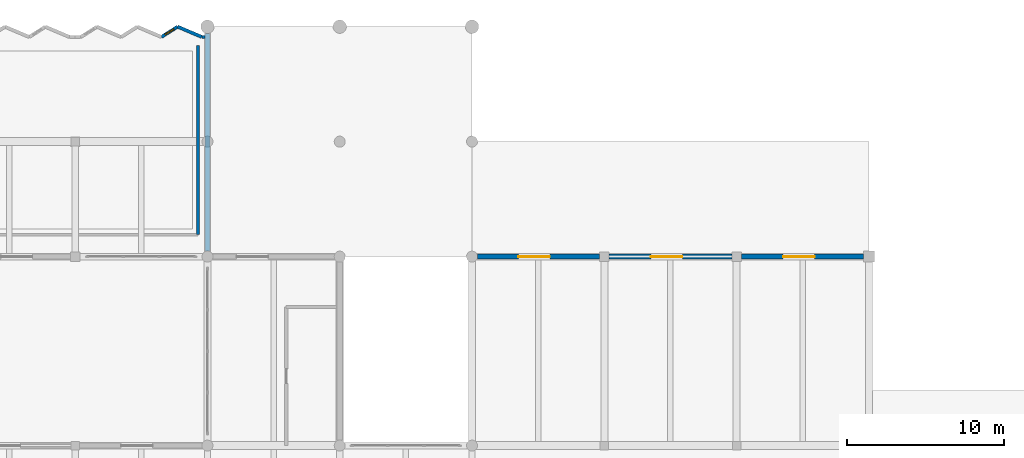
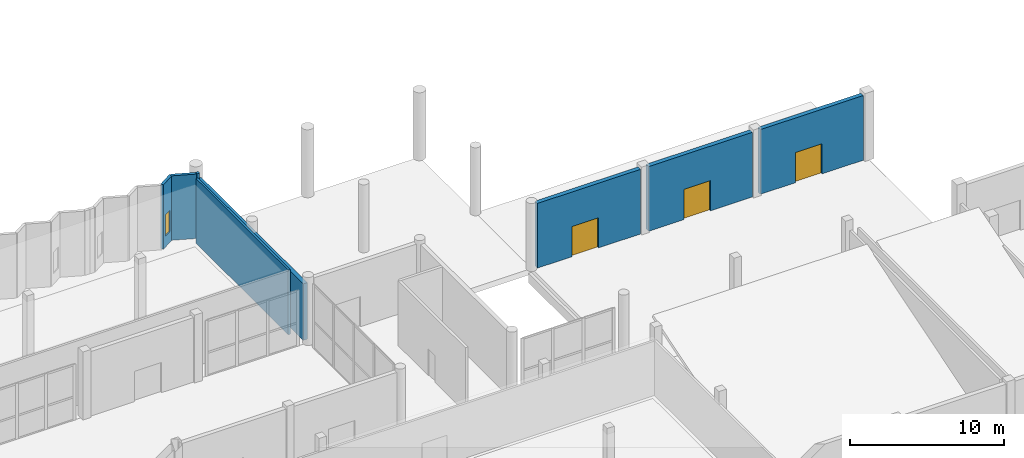
# One storey, part 31 of 41: 8 walls, 3 doors, 1 window, 4 openings.
"""IFC4 building model written with IfcOpenShell, lengths in metres."""

from ifc_helpers import new_model, si_unit, direction, frame, frame_2d, origin, place, context, subcontext, project, spatial, rectangle, extrude, material, layer, layer_set, type_object, element, fill, save


model = new_model("IFC4")

# Units and contexts
model_context = context("Model", 3, precision=1e-05, world=origin(), true_north=direction((0.0, 1.0)))
body_context = subcontext(model_context, "Body", "Model", "MODEL_VIEW")
ifc_project = project(units=[si_unit("LENGTHUNIT", "METRE"), si_unit("AREAUNIT", "SQUARE_METRE"), si_unit("VOLUMEUNIT", "CUBIC_METRE"), si_unit("PLANEANGLEUNIT", "RADIAN"), si_unit("MASSUNIT", "GRAM", prefix="KILO")], contexts=[model_context])

# Site, building, storey
site_placement = place(None, origin())
site = spatial("IfcSite", under=ifc_project, at=site_placement, CompositionType="ELEMENT")
building_placement = place(site_placement, origin())
building = spatial("IfcBuilding", under=site, at=building_placement, Name="Vharandega Faculty of Natural Sciences", CompositionType="ELEMENT")
storey_placement = place(building_placement, origin())
storey = spatial("IfcBuildingStorey", under=building, at=storey_placement, Name="L00", CompositionType="ELEMENT", Elevation=0.0)

# Wall
ifc_material_1 = material(Name="Precast concrete C40/50", Category="concrete")
ifc_layer_1 = layer(ifc_material_1, 0.2099609375, Name="Precast concrete C40/50")
ifc_layer_set_1 = layer_set([ifc_layer_1], Name="Precast concrete C40/50")
wall_type_1 = type_object("IfcWallType", Name="Commons Sawtooth Street Wall 210", PredefinedType="SOLIDWALL", material=ifc_layer_set_1)
wall_1_placement = place(storey_placement, frame((72.449951171875, 110.949951171875, 0.0), z_axis=(0.0, 0.0, 1.0), x_axis=(1.0, 0.0, 0.0)))
element("IfcWall", 1, at=wall_1_placement, inside=storey, type_object=wall_type_1, Name="Exterior Wall EW-V2SHL-L00-10R", PredefinedType="SOLIDWALL", context=body_context, shape_type="SweptSolid", body=[
    extrude(rectangle(XDim=0.205078125, YDim=0.2099609375, at=frame_2d((0.1025390625, 0.0))), origin(), (0.0, 0.0, 1.0), 5.1201171875),
])

# Wall, opening, window
wall_2_placement = place(storey_placement, frame((69.8798828125, 110.949951171875, 0.0), z_axis=(0.0, 0.0, 1.0), x_axis=(0.844257623592, 0.535937557003, 0.0)))
wall_2 = element("IfcWall", 2, at=wall_2_placement, inside=storey, type_object=wall_type_1, Name="Exterior Wall EW-V2SAW-L00-27G", PredefinedType="SOLIDWALL", context=body_context, shape_type="SweptSolid", body=[
    extrude(rectangle(XDim=1.213134765625, YDim=0.2099609375, at=frame_2d((0.6064453125, 0.0))), origin(), (0.0, 0.0, 1.0), 5.1201171875),
])
opening_1_placement = place(wall_2_placement, frame((0.280029296875, 0.0, 0.85009765625)))
opening_1 = element("IfcOpeningElement", 3, at=opening_1_placement, cuts=wall_2, Name="Opening WN-07", PredefinedType="OPENING", context=body_context, shape_type="SweptSolid", body=[
    extrude(rectangle(XDim=0.64990234375, YDim=1.699951171875, at=frame_2d((0.324951171875, 0.85009765625))), frame((0.0, 0.114990234375, 0.0), z_axis=(0.0, -1.0, 0.0), x_axis=(1.0, 0.0, 0.0)), (0.0, 0.0, 1.0), 0.22998046875),
])
ifc_material_2 = material(Name="Double-glazed solar-control glass in thermally broken aluminium frame", Category="aluminium")
window_type = type_object("IfcWindowType", Name="WIN-COM-065x170", PartitioningType="SINGLE_PANEL", PredefinedType="WINDOW", material=ifc_material_2)
window_placement = place(opening_1_placement, origin())
window = element("IfcWindow", 4, at=window_placement, inside=storey, type_object=window_type, Name="Window WIN-L00-0157", OverallHeight=1.699951171875, OverallWidth=0.64990234375, PartitioningType="SINGLE_PANEL", PredefinedType="WINDOW", context=body_context, shape_type="SweptSolid", body=[
    extrude(rectangle(XDim=0.64990234375, YDim=1.699951171875, at=frame_2d((0.324951171875, 0.85009765625))), frame((0.0, 0.030029296875, 0.0), z_axis=(0.0, -1.0, 0.0), x_axis=(1.0, 0.0, 0.0)), (0.0, 0.0, 1.0), 0.06005859375),
])
fill(opening_1, window)

# Wall
wall_3_placement = place(storey_placement, frame((70.904052734375, 111.60009765625, 0.0), z_axis=(0.0, 0.0, 1.0), x_axis=(0.920892481687, -0.389816671234, 0.0)))
element("IfcWall", 5, at=wall_3_placement, inside=storey, type_object=wall_type_1, Name="Exterior Wall EW-V2SAW-L00-27S", PredefinedType="SOLIDWALL", context=body_context, shape_type="SweptSolid", body=[
    extrude(rectangle(XDim=1.667724609375, YDim=0.2099609375, at=frame_2d((0.833984375, 0.0))), origin(), (0.0, 0.0, 1.0), 5.1201171875),
])

# Wall, opening, door
ifc_material_3 = material(Name="Granite ashlar masonry 25 MPa", Category="masonry")
ifc_layer_2 = layer(ifc_material_3, 0.320068359375, Name="Granite ashlar masonry 25 MPa")
ifc_layer_set_2 = layer_set([ifc_layer_2], Name="Granite ashlar masonry 25 MPa")
wall_type_2 = type_object("IfcWallType", Name="Harare Granite Plinth Wall 320", PredefinedType="SOLIDWALL", material=ifc_layer_set_2)
wall_4_placement = place(storey_placement, frame((89.947998046875, 97.0, 0.0), z_axis=(0.0, 0.0, 1.0), x_axis=(1.0, 0.0, 0.0)))
wall_4 = element("IfcWall", 6, at=wall_4_placement, inside=storey, type_object=wall_type_2, Name="Exterior Wall EW-L00-V1N-1", PredefinedType="SOLIDWALL", context=body_context, shape_type="SweptSolid", body=[
    extrude(rectangle(XDim=7.75390625, YDim=0.320068359375, at=frame_2d((3.876953125, 0.0))), origin(), (0.0, 0.0, 1.0), 5.139892578125),
])
opening_2_placement = place(wall_4_placement, frame((2.60205078125, 0.0, 0.0)))
opening_2 = element("IfcOpeningElement", 7, at=opening_2_placement, cuts=wall_4, Name="Opening EX-LEC1", PredefinedType="OPENING", context=body_context, shape_type="SweptSolid", body=[
    extrude(rectangle(XDim=2.0, YDim=2.39990234375, at=frame_2d((1.0, 1.199951171875))), frame((0.0, 0.169921875, 0.0), z_axis=(0.0, -1.0, 0.0), x_axis=(1.0, 0.0, 0.0)), (0.0, 0.0, 1.0), 0.340087890625),
])
ifc_material_4 = material(Name="Thermally broken glazed aluminium door", Category="aluminium")
door_type = type_object("IfcDoorType", Name="EXT-ENTRY-DBL-2000x2400", OperationType="DOUBLE_DOOR_SINGLE_SWING", PredefinedType="DOOR", material=ifc_material_4)
door_1_placement = place(opening_2_placement, origin())
door_1 = element("IfcDoor", 8, at=door_1_placement, inside=storey, type_object=door_type, Name="Lecture Pavilion Exit 1 EX-LEC1", OperationType="DOUBLE_DOOR_SINGLE_SWING", OverallHeight=2.39990234375, OverallWidth=2.0, PredefinedType="DOOR", context=body_context, shape_type="SweptSolid", body=[
    extrude(rectangle(XDim=2.0, YDim=2.39990234375, at=frame_2d((1.0, 1.199951171875))), frame((0.0, 0.02490234375, 0.0), z_axis=(0.0, -1.0, 0.0), x_axis=(1.0, 0.0, 0.0)), (0.0, 0.0, 1.0), 0.050048828125),
])
fill(opening_2, door_1)

wall_5_placement = place(storey_placement, frame((98.298095703125, 97.0, 0.0), z_axis=(0.0, 0.0, 1.0), x_axis=(1.0, 0.0, 0.0)))
wall_5 = element("IfcWall", 9, at=wall_5_placement, inside=storey, type_object=wall_type_2, Name="Exterior Wall EW-L00-V1N-2", PredefinedType="SOLIDWALL", context=body_context, shape_type="SweptSolid", body=[
    extrude(rectangle(XDim=7.803955078125, YDim=0.320068359375, at=frame_2d((3.90185546875, 0.0))), origin(), (0.0, 0.0, 1.0), 5.139892578125),
])
opening_3_placement = place(wall_5_placement, frame((2.652099609375, 0.0, 0.0)))
opening_3 = element("IfcOpeningElement", 10, at=opening_3_placement, cuts=wall_5, Name="Opening ED-LEC", PredefinedType="OPENING", context=body_context, shape_type="SweptSolid", body=[
    extrude(rectangle(XDim=2.0, YDim=2.39990234375, at=frame_2d((1.0, 1.199951171875))), frame((0.0, 0.169921875, 0.0), z_axis=(0.0, -1.0, 0.0), x_axis=(1.0, 0.0, 0.0)), (0.0, 0.0, 1.0), 0.340087890625),
])
door_2_placement = place(opening_3_placement, origin())
door_2 = element("IfcDoor", 11, at=door_2_placement, inside=storey, type_object=door_type, Name="Lecture Pavilion Exit 2 ED-LEC", OperationType="DOUBLE_DOOR_SINGLE_SWING", OverallHeight=2.39990234375, OverallWidth=2.0, PredefinedType="DOOR", context=body_context, shape_type="SweptSolid", body=[
    extrude(rectangle(XDim=2.0, YDim=2.39990234375, at=frame_2d((1.0, 1.199951171875))), frame((0.0, 0.02490234375, 0.0), z_axis=(0.0, -1.0, 0.0), x_axis=(1.0, 0.0, 0.0)), (0.0, 0.0, 1.0), 0.050048828125),
])
fill(opening_3, door_2)

wall_6_placement = place(storey_placement, frame((106.697998046875, 97.0, 0.0), z_axis=(0.0, 0.0, 1.0), x_axis=(1.0, 0.0, 0.0)))
wall_6 = element("IfcWall", 12, at=wall_6_placement, inside=storey, type_object=wall_type_2, Name="Exterior Wall EW-L00-V1N-3", PredefinedType="SOLIDWALL", context=body_context, shape_type="SweptSolid", body=[
    extrude(rectangle(XDim=7.75390625, YDim=0.320068359375, at=frame_2d((3.876953125, 0.0))), origin(), (0.0, 0.0, 1.0), 5.139892578125),
])
opening_4_placement = place(wall_6_placement, frame((2.652099609375, 0.0, 0.0)))
opening_4 = element("IfcOpeningElement", 13, at=opening_4_placement, cuts=wall_6, Name="Opening EX-LEC3", PredefinedType="OPENING", context=body_context, shape_type="SweptSolid", body=[
    extrude(rectangle(XDim=2.0, YDim=2.39990234375, at=frame_2d((1.0, 1.199951171875))), frame((0.0, 0.169921875, 0.0), z_axis=(0.0, -1.0, 0.0), x_axis=(1.0, 0.0, 0.0)), (0.0, 0.0, 1.0), 0.340087890625),
])
door_3_placement = place(opening_4_placement, origin())
door_3 = element("IfcDoor", 14, at=door_3_placement, inside=storey, type_object=door_type, Name="Lecture Pavilion Exit 3 EX-LEC3", OperationType="DOUBLE_DOOR_SINGLE_SWING", OverallHeight=2.39990234375, OverallWidth=2.0, PredefinedType="DOOR", context=body_context, shape_type="SweptSolid", body=[
    extrude(rectangle(XDim=2.0, YDim=2.39990234375, at=frame_2d((1.0, 1.199951171875))), frame((0.0, 0.02490234375, 0.0), z_axis=(0.0, -1.0, 0.0), x_axis=(1.0, 0.0, 0.0)), (0.0, 0.0, 1.0), 0.050048828125),
])
fill(opening_4, door_3)

# Walls
ifc_material_5 = material(Name="Gypsum fire-board on steel stud", Category="steel")
ifc_layer_3 = layer(ifc_material_5, 0.159912109375, Name="Gypsum fire-board on steel stud")
ifc_layer_set_3 = layer_set([ifc_layer_3], Name="Gypsum fire-board on steel stud")
wall_type_3 = type_object("IfcWallType", Name="Laboratory Fire Corridor Wall 160", PredefinedType="PARTITIONING", material=ifc_layer_set_3)
wall_7_placement = place(storey_placement, frame((72.199951171875, 98.39990234375, 0.0), z_axis=(0.0, 0.0, 1.0), x_axis=(0.0, 1.0, 0.0)))
element("IfcWall", 15, at=wall_7_placement, inside=storey, type_object=wall_type_3, Name="Interior Wall PW-L00-R12E", PredefinedType="PARTITIONING", context=body_context, shape_type="SweptSolid", body=[
    extrude(rectangle(XDim=12.0, YDim=0.159912109375, at=frame_2d((6.0, 0.0))), origin(), (0.0, 0.0, 1.0), 5.139892578125),
])
ifc_material_6 = material(Name="Precast concrete C40/50", Category="concrete")
ifc_layer_4 = layer(ifc_material_6, 0.300048828125, Name="Precast concrete C40/50")
ifc_layer_set_4 = layer_set([ifc_layer_4], Name="Precast concrete C40/50")
wall_type_4 = type_object("IfcWallType", Name="Polychrome Precast Facade Wall 300", PredefinedType="SOLIDWALL", material=ifc_layer_set_4)
wall_8_placement = place(storey_placement, frame((72.800048828125, 111.177001953125, 0.0), z_axis=(0.0, 0.0, 1.0), x_axis=(0.0, -1.0, 0.0)))
element("IfcWall", 16, at=wall_8_placement, inside=storey, type_object=wall_type_4, Name="Exterior Wall EW-V2E-L00", PredefinedType="SOLIDWALL", context=body_context, shape_type="SweptSolid", body=[
    extrude(rectangle(XDim=13.8291015625, YDim=0.300048828125, at=frame_2d((6.91455078125, 0.0))), origin(), (0.0, 0.0, 1.0), 4.489990234375),
])

save(model, "model.ifc")
